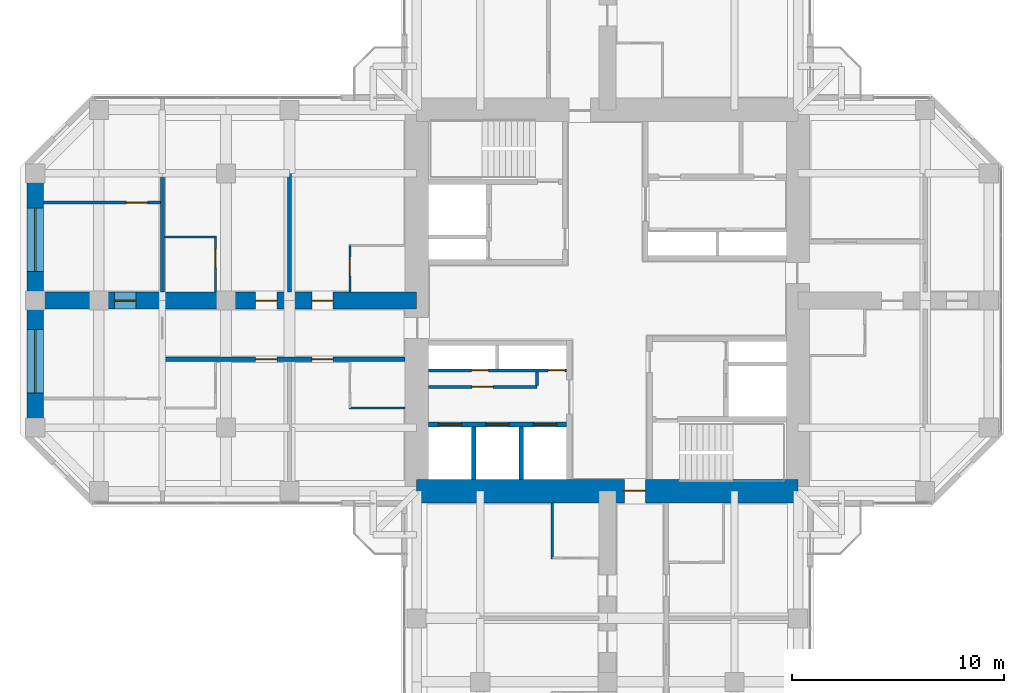
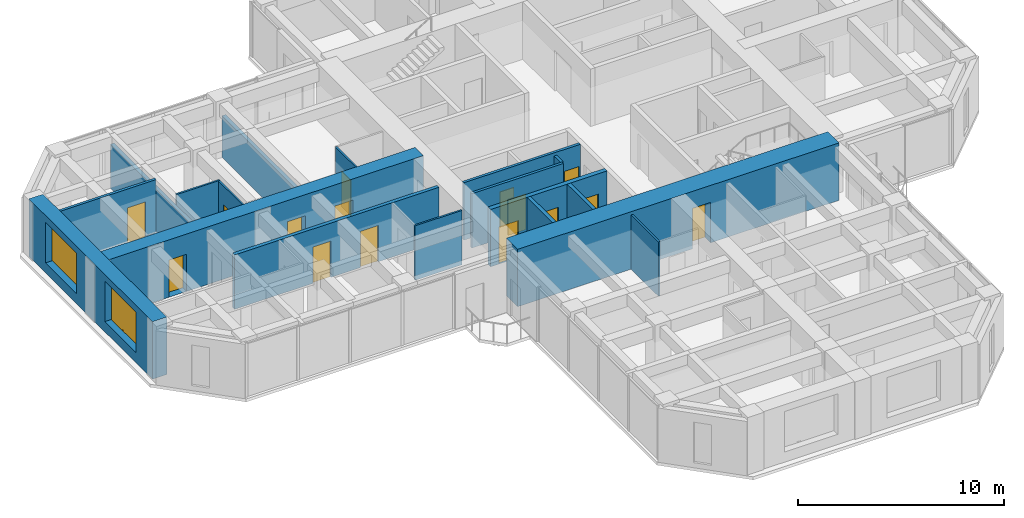
# One storey, part 9 of 13: 18 walls, 15 doors, 2 windows, 17 openings.
"""IFC4 building model written with IfcOpenShell, lengths in metres."""

from ifc_helpers import new_model, si_unit, direction, frame, frame_2d, origin, place, context, subcontext, project, spatial, rectangle, hollow_rectangle, extrude, material, layer, layer_set, constituent, constituent_set, type_object, element, fill, save


model = new_model("IFC4")

# Units and contexts
model_context = context("Model", 3, precision=1e-05, world=origin(), true_north=direction((0.0, 1.0)))
body_context = subcontext(model_context, "Body", "Model", "MODEL_VIEW")
ifc_project = project(units=[si_unit("LENGTHUNIT", "METRE"), si_unit("AREAUNIT", "SQUARE_METRE"), si_unit("VOLUMEUNIT", "CUBIC_METRE"), si_unit("PLANEANGLEUNIT", "RADIAN"), si_unit("MASSUNIT", "GRAM", prefix="KILO")], contexts=[model_context])

# Site, building, storey
site_placement = place(None, origin())
site = spatial("IfcSite", under=ifc_project, at=site_placement, CompositionType="ELEMENT")
building_placement = place(site_placement, origin())
building = spatial("IfcBuilding", under=site, at=building_placement, Name="Torre Cruceta", CompositionType="ELEMENT")
storey_placement = place(building_placement, frame((0.0, 0.0, 189.89990234375)))
storey = spatial("IfcBuildingStorey", under=building, at=storey_placement, Name="L47", CompositionType="ELEMENT", Elevation=189.89990234375)

# Walls
ifc_material_1 = material(Name="Water-resistant plasterboard on steel studs", Category="steel")
ifc_layer_1 = layer(ifc_material_1, 0.10009765625)
ifc_layer_set_1 = layer_set([ifc_layer_1], Name="Water-resistant plasterboard on steel studs")
wall_type_1 = type_object("IfcWallType", Name="BATHROOM WALL 100", PredefinedType="PARTITIONING", material=ifc_layer_set_1)
for number, where, z_axis, x_axis, name in (
    (1, (-2.60009765625, -9.550048828125, 0.0), (0.0, 0.0, 1.0), (0.0, -1.0, 0.0), "PT4 L47-S-U1RBB"),
    (2, (-9.550048828125, -5.074951171875, 0.0), (0.0, 0.0, 1.0), (-1.0, 0.0, 0.0), "PT4 L47-W-U1LBB"),
):
    element("IfcWall", number, at=place(storey_placement, frame(where, z_axis=z_axis, x_axis=x_axis)), inside=storey, type_object=wall_type_1, Name=name, PredefinedType="PARTITIONING", context=body_context, shape_type="SweptSolid", body=[
        extrude(rectangle(XDim=2.64990234375, YDim=0.10009765625, at=frame_2d((1.324951171875, 0.0))), origin(), (0.0, 0.0, 1.0), 3.22021484375),
    ])

# Wall, opening, door
wall_1_placement = place(storey_placement, frame((-12.14990234375, 2.60009765625, 0.0), z_axis=(0.0, 0.0, 1.0), x_axis=(0.0, -1.0, 0.0)))
wall_1 = element("IfcWall", 3, at=wall_1_placement, inside=storey, type_object=wall_type_1, Name="PT4 L47-W-U1RBS", PredefinedType="PARTITIONING", context=body_context, shape_type="SweptSolid", body=[
    extrude(rectangle(XDim=2.2001953125, YDim=0.10009765625, at=frame_2d((1.10009765625, 0.0))), origin(), (0.0, 0.0, 1.0), 3.22021484375),
])
opening_1_placement = place(wall_1_placement, frame((0.550048828125, 0.0, 0.0)))
opening_1 = element("IfcOpeningElement", 4, at=opening_1_placement, cuts=wall_1, Name="Opening D7", PredefinedType="OPENING", context=body_context, shape_type="SweptSolid", body=[
    extrude(rectangle(XDim=0.89990234375, YDim=2.10009765625, at=frame_2d((0.449951171875, 1.050048828125))), frame((0.0, 0.06005859375, 0.0), z_axis=(0.0, -1.0, 0.0), x_axis=(1.0, 0.0, 0.0)), (0.0, 0.0, 1.0), 0.1201171875),
])
ifc_material_2 = material(Name="Timber door", Category="wood")
door_type_1 = type_object("IfcDoorType", Name="BATHROOM DOOR 900X2100", OperationType="SINGLE_SWING_LEFT", PredefinedType="DOOR", material=ifc_material_2)
door_1_placement = place(opening_1_placement, origin())
door_1 = element("IfcDoor", 5, at=door_1_placement, inside=storey, type_object=door_type_1, Name="D7 L47-W-U1RBS-D1", OperationType="SINGLE_SWING_LEFT", OverallHeight=2.10009765625, OverallWidth=0.89990234375, PredefinedType="DOOR", context=body_context, shape_type="SweptSolid", body=[
    extrude(rectangle(XDim=0.89990234375, YDim=2.10009765625, at=frame_2d((0.449951171875, 1.050048828125))), frame((0.0, 0.02490234375, 0.0), z_axis=(0.0, -1.0, 0.0), x_axis=(1.0, 0.0, 0.0)), (0.0, 0.0, 1.0), 0.050048828125),
])
fill(opening_1, door_1)

# Wall
wall_2_placement = place(storey_placement, frame((-18.449951171875, 3.0, 0.0), z_axis=(0.0, 0.0, 1.0), x_axis=(-1.0, 0.0, 0.0)))
element("IfcWall", 6, at=wall_2_placement, inside=storey, type_object=wall_type_1, Name="PT4 L47-W-U2RBB", PredefinedType="PARTITIONING", context=body_context, shape_type="SweptSolid", body=[
    extrude(rectangle(XDim=2.449951171875, YDim=0.10009765625, at=frame_2d((1.22509765625, 0.0))), origin(), (0.0, 0.0, 1.0), 3.22021484375),
])

# Wall, opening, door
wall_3_placement = place(storey_placement, frame((-18.5, 3.0, 0.0), z_axis=(0.0, 0.0, 1.0), x_axis=(0.0, -1.0, 0.0)))
wall_3 = element("IfcWall", 7, at=wall_3_placement, inside=storey, type_object=wall_type_1, Name="PT4 L47-W-U2RBS", PredefinedType="PARTITIONING", context=body_context, shape_type="SweptSolid", body=[
    extrude(rectangle(XDim=2.60009765625, YDim=0.10009765625, at=frame_2d((1.300048828125, 0.0))), origin(), (0.0, 0.0, 1.0), 3.22021484375),
])
opening_2_placement = place(wall_3_placement, frame((0.550048828125, 0.0, 0.0)))
opening_2 = element("IfcOpeningElement", 8, at=opening_2_placement, cuts=wall_3, Name="Opening D7", PredefinedType="OPENING", context=body_context, shape_type="SweptSolid", body=[
    extrude(rectangle(XDim=0.89990234375, YDim=2.10009765625, at=frame_2d((0.449951171875, 1.050048828125))), frame((0.0, 0.06005859375, 0.0), z_axis=(0.0, -1.0, 0.0), x_axis=(1.0, 0.0, 0.0)), (0.0, 0.0, 1.0), 0.1201171875),
])
door_2_placement = place(opening_2_placement, frame((0.89990234375, 0.0, 0.0), z_axis=(0.0, 0.0, 1.0), x_axis=(-1.0, 0.0, 0.0)))
door_2 = element("IfcDoor", 9, at=door_2_placement, inside=storey, type_object=door_type_1, Name="D7 L47-W-U2RBS-D1", OperationType="SINGLE_SWING_RIGHT", OverallHeight=2.10009765625, OverallWidth=0.89990234375, PredefinedType="DOOR", context=body_context, shape_type="SweptSolid", body=[
    extrude(rectangle(XDim=0.89990234375, YDim=2.10009765625, at=frame_2d((0.449951171875, 1.050048828125))), frame((0.0, 0.025146484375, 0.0), z_axis=(0.0, -1.0, 0.0), x_axis=(1.0, 0.0, 0.0)), (0.0, 0.0, 1.0), 0.050048828125),
])
fill(opening_2, door_2)

# Wall, openings, doors
ifc_material_3 = material(Name="Concrete G60 (fck 60 MPa)", Category="concrete")
ifc_layer_2 = layer(ifc_material_3, 0.25)
ifc_layer_set_2 = layer_set([ifc_layer_2], Name="Concrete G60 (fck 60 MPa)")
wall_type_2 = type_object("IfcWallType", Name="CORE INNER WALL 250 G60", PredefinedType="SHEAR", material=ifc_layer_set_2)
wall_4_placement = place(storey_placement, frame((-1.925048828125, -5.85009765625, 0.0), z_axis=(0.0, 0.0, 1.0), x_axis=(-1.0, 0.0, 0.0)))
wall_4 = element("IfcWall", 10, at=wall_4_placement, inside=storey, type_object=wall_type_2, Name="CW4 L47 SW-LV", PredefinedType="SHEAR", context=body_context, shape_type="SweptSolid", body=[
    extrude(rectangle(XDim=6.52490234375, YDim=0.25, at=frame_2d((3.262451171875, 0.0))), origin(), (0.0, 0.0, 1.0), 3.400146484375),
])
opening_3_placement = place(wall_4_placement, frame((0.470947265625, 0.0, 0.0)))
opening_3 = element("IfcOpeningElement", 11, at=opening_3_placement, cuts=wall_4, Name="Opening LD1", PredefinedType="OPENING", context=body_context, shape_type="SweptSolid", body=[
    extrude(rectangle(XDim=1.10009765625, YDim=2.199951171875, at=frame_2d((0.550048828125, 1.10009765625))), frame((0.0, 0.135009765625, 0.0), z_axis=(0.0, -1.0, 0.0), x_axis=(1.0, 0.0, 0.0)), (0.0, 0.0, 1.0), 0.27001953125),
])
opening_4_placement = place(wall_4_placement, frame((2.71240234375, 0.0, 0.0)))
opening_4 = element("IfcOpeningElement", 12, at=opening_4_placement, cuts=wall_4, Name="Opening LD1", PredefinedType="OPENING", context=body_context, shape_type="SweptSolid", body=[
    extrude(rectangle(XDim=1.10009765625, YDim=2.199951171875, at=frame_2d((0.550048828125, 1.10009765625))), frame((0.0, 0.135009765625, 0.0), z_axis=(0.0, -1.0, 0.0), x_axis=(1.0, 0.0, 0.0)), (0.0, 0.0, 1.0), 0.27001953125),
])
opening_5_placement = place(wall_4_placement, frame((4.9541015625, 0.0, 0.0)))
opening_5 = element("IfcOpeningElement", 13, at=opening_5_placement, cuts=wall_4, Name="Opening LD1", PredefinedType="OPENING", context=body_context, shape_type="SweptSolid", body=[
    extrude(rectangle(XDim=1.10009765625, YDim=2.199951171875, at=frame_2d((0.550048828125, 1.10009765625))), frame((0.0, 0.135009765625, 0.0), z_axis=(0.0, -1.0, 0.0), x_axis=(1.0, 0.0, 0.0)), (0.0, 0.0, 1.0), 0.27001953125),
])
ifc_material_4 = material(Name="Stainless steel 1.4401", Category="steel")
door_type_2 = type_object("IfcDoorType", Name="LIFT LANDING DOOR 1100X2200", OperationType="DOUBLE_DOOR_SLIDING", PredefinedType="DOOR", material=ifc_material_4)
door_3_placement = place(opening_3_placement, origin())
door_3 = element("IfcDoor", 14, at=door_3_placement, inside=storey, type_object=door_type_2, Name="Lift landing door R1", OperationType="DOUBLE_DOOR_SLIDING", OverallHeight=2.199951171875, OverallWidth=1.10009765625, PredefinedType="DOOR", context=body_context, shape_type="SweptSolid", body=[
    extrude(rectangle(XDim=1.10009765625, YDim=2.199951171875, at=frame_2d((0.550048828125, 1.10009765625))), frame((0.0, 0.02490234375, 0.0), z_axis=(0.0, -1.0, 0.0), x_axis=(1.0, 0.0, 0.0)), (0.0, 0.0, 1.0), 0.050048828125),
])
fill(opening_3, door_3)
door_4_placement = place(opening_4_placement, origin())
door_4 = element("IfcDoor", 15, at=door_4_placement, inside=storey, type_object=door_type_2, Name="Lift landing door R2", OperationType="DOUBLE_DOOR_SLIDING", OverallHeight=2.199951171875, OverallWidth=1.10009765625, PredefinedType="DOOR", context=body_context, shape_type="SweptSolid", body=[
    extrude(rectangle(XDim=1.10009765625, YDim=2.199951171875, at=frame_2d((0.550048828125, 1.10009765625))), frame((0.0, 0.02490234375, 0.0), z_axis=(0.0, -1.0, 0.0), x_axis=(1.0, 0.0, 0.0)), (0.0, 0.0, 1.0), 0.050048828125),
])
fill(opening_4, door_4)
door_5_placement = place(opening_5_placement, origin())
door_5 = element("IfcDoor", 16, at=door_5_placement, inside=storey, type_object=door_type_2, Name="Lift landing door R3", OperationType="DOUBLE_DOOR_SLIDING", OverallHeight=2.199951171875, OverallWidth=1.10009765625, PredefinedType="DOOR", context=body_context, shape_type="SweptSolid", body=[
    extrude(rectangle(XDim=1.10009765625, YDim=2.199951171875, at=frame_2d((0.550048828125, 1.10009765625))), frame((0.0, 0.02490234375, 0.0), z_axis=(0.0, -1.0, 0.0), x_axis=(1.0, 0.0, 0.0)), (0.0, 0.0, 1.0), 0.050048828125),
])
fill(opening_5, door_5)

# Wall, opening, door
ifc_material_5 = material(Name="Concrete G60 (fck 60 MPa)", Category="concrete")
ifc_layer_3 = layer(ifc_material_5, 1.10009765625)
ifc_layer_set_3 = layer_set([ifc_layer_3], Name="Concrete G60 (fck 60 MPa)")
wall_type_3 = type_object("IfcWallType", Name="CORE WALL 1100 G60", PredefinedType="SHEAR", material=ifc_layer_set_3)
wall_5_placement = place(storey_placement, frame((-9.0, -9.0, 0.0), z_axis=(0.0, 0.0, 1.0), x_axis=(1.0, 0.0, 0.0)))
wall_5 = element("IfcWall", 17, at=wall_5_placement, inside=storey, type_object=wall_type_3, Name="CW2 L47 CW-S", PredefinedType="SHEAR", context=body_context, shape_type="SweptSolid", body=[
    extrude(rectangle(XDim=18.0, YDim=1.10009765625, at=frame_2d((9.0, 0.0))), origin(), (0.0, 0.0, 1.0), 3.400146484375),
])
opening_6_placement = place(wall_5_placement, frame((9.800048828125, 0.0, 0.0)))
opening_6 = element("IfcOpeningElement", 18, at=opening_6_placement, cuts=wall_5, Name="Opening D4", PredefinedType="OPENING", context=body_context, shape_type="SweptSolid", body=[
    extrude(rectangle(XDim=1.0, YDim=2.39990234375, at=frame_2d((0.5, 1.199951171875))), frame((0.0, 0.56005859375, 0.0), z_axis=(0.0, -1.0, 0.0), x_axis=(1.0, 0.0, 0.0)), (0.0, 0.0, 1.0), 1.1201171875),
])
ifc_material_6 = material(Name="Steel DX51D", Category="steel")
ifc_constituent_1 = constituent(ifc_material_6, Name="Leaf and frame")
ifc_material_7 = material(Name="Polyester powder coating", Category="paint")
ifc_constituent_2 = constituent(ifc_material_7, Name="Finish")
ifc_constituent_set_1 = constituent_set(constituents=[ifc_constituent_1, ifc_constituent_2], Name="Steel fire door")
door_type_3 = type_object("IfcDoorType", Name="CORE ARM DOOR 1000X2400", OperationType="SINGLE_SWING_RIGHT", PredefinedType="DOOR", material=ifc_constituent_set_1)
door_6_placement = place(opening_6_placement, origin())
door_6 = element("IfcDoor", 19, at=door_6_placement, inside=storey, type_object=door_type_3, Name="D4 L47 CW-S", OperationType="SINGLE_SWING_RIGHT", OverallHeight=2.39990234375, OverallWidth=1.0, PredefinedType="DOOR", context=body_context, shape_type="SweptSolid", body=[
    extrude(rectangle(XDim=1.0, YDim=2.39990234375, at=frame_2d((0.5, 1.199951171875))), frame((0.0, 0.05517578125, 0.0), z_axis=(0.0, -1.0, 0.0), x_axis=(1.0, 0.0, 0.0)), (0.0, 0.0, 1.0), 0.050048828125),
])
fill(opening_6, door_6)

# Wall, openings, doors
ifc_material_8 = material(Name="Concrete G25 (fck 25 MPa)", Category="concrete")
ifc_layer_4 = layer(ifc_material_8, 0.199951171875)
ifc_layer_set_4 = layer_set([ifc_layer_4], Name="Concrete G25 (fck 25 MPa)")
wall_type_4 = type_object("IfcWallType", Name="CORRIDOR WALL 200", PredefinedType="SOLIDWALL", material=ifc_layer_set_4)
wall_6_placement = place(storey_placement, frame((-9.550048828125, -2.77490234375, 0.0), z_axis=(0.0, 0.0, 1.0), x_axis=(-1.0, 0.0, 0.0)))
wall_6 = element("IfcWall", 20, at=wall_6_placement, inside=storey, type_object=wall_type_4, Name="PT3 L47-W-CL", PredefinedType="SOLIDWALL", context=body_context, shape_type="SweptSolid", body=[
    extrude(rectangle(XDim=11.449951171875, YDim=0.199951171875, at=frame_2d((5.72509765625, 0.0))), origin(), (0.0, 0.0, 1.0), 3.22021484375),
])
opening_7_placement = place(wall_6_placement, frame((3.39990234375, 0.0, 0.0)))
opening_7 = element("IfcOpeningElement", 21, at=opening_7_placement, cuts=wall_6, Name="Opening D6", PredefinedType="OPENING", context=body_context, shape_type="SweptSolid", body=[
    extrude(rectangle(XDim=1.0, YDim=2.14990234375, at=frame_2d((0.5, 1.074951171875))), frame((0.0, 0.10986328125, 0.0), z_axis=(0.0, -1.0, 0.0), x_axis=(1.0, 0.0, 0.0)), (0.0, 0.0, 1.0), 0.219970703125),
])
opening_8_placement = place(wall_6_placement, frame((6.050048828125, 0.0, 0.0)))
opening_8 = element("IfcOpeningElement", 22, at=opening_8_placement, cuts=wall_6, Name="Opening D6", PredefinedType="OPENING", context=body_context, shape_type="SweptSolid", body=[
    extrude(rectangle(XDim=1.0, YDim=2.14990234375, at=frame_2d((0.5, 1.074951171875))), frame((0.0, 0.10986328125, 0.0), z_axis=(0.0, -1.0, 0.0), x_axis=(1.0, 0.0, 0.0)), (0.0, 0.0, 1.0), 0.219970703125),
])
ifc_material_9 = material(Name="Timber fire door", Category="wood")
door_type_4 = type_object("IfcDoorType", Name="UNIT ENTRANCE DOOR 1000X2150", OperationType="SINGLE_SWING_LEFT", PredefinedType="DOOR", material=ifc_material_9)
door_7_placement = place(opening_7_placement, origin())
door_7 = element("IfcDoor", 23, at=door_7_placement, inside=storey, type_object=door_type_4, Name="D6 L47-W-CL-D1", OperationType="SINGLE_SWING_LEFT", OverallHeight=2.14990234375, OverallWidth=1.0, PredefinedType="DOOR", context=body_context, shape_type="SweptSolid", body=[
    extrude(rectangle(XDim=1.0, YDim=2.14990234375, at=frame_2d((0.5, 1.074951171875))), frame((0.0, 0.02490234375, 0.0), z_axis=(0.0, -1.0, 0.0), x_axis=(1.0, 0.0, 0.0)), (0.0, 0.0, 1.0), 0.050048828125),
])
fill(opening_7, door_7)
door_8_placement = place(opening_8_placement, origin())
door_8 = element("IfcDoor", 24, at=door_8_placement, inside=storey, type_object=door_type_4, Name="D6 L47-W-CL-D2", OperationType="SINGLE_SWING_LEFT", OverallHeight=2.14990234375, OverallWidth=1.0, PredefinedType="DOOR", context=body_context, shape_type="SweptSolid", body=[
    extrude(rectangle(XDim=1.0, YDim=2.14990234375, at=frame_2d((0.5, 1.074951171875))), frame((0.0, 0.02490234375, 0.0), z_axis=(0.0, -1.0, 0.0), x_axis=(1.0, 0.0, 0.0)), (0.0, 0.0, 1.0), 0.050048828125),
])
fill(opening_8, door_8)

# Walls
ifc_material_10 = material(Name="Concrete G35 (fck 35 MPa)", Category="concrete")
ifc_layer_5 = layer(ifc_material_10, 0.199951171875)
ifc_layer_set_5 = layer_set([ifc_layer_5], Name="Concrete G35 (fck 35 MPa)")
wall_type_5 = type_object("IfcWallType", Name="LIFT SHAFT WALL 200", PredefinedType="PARTITIONING", material=ifc_layer_set_5)
for number, where, z_axis, x_axis, name in (
    (25, (-4.066650390625, -5.97509765625, 0.0), (0.0, 0.0, 1.0), (0.0, -1.0, 0.0), "SW1 L47 SW-LS1"),
    (26, (-6.308349609375, -5.97509765625, 0.0), (0.0, 0.0, 1.0), (0.0, -1.0, 0.0), "SW1 L47 SW-LS2"),
):
    element("IfcWall", number, at=place(storey_placement, frame(where, z_axis=z_axis, x_axis=x_axis)), inside=storey, type_object=wall_type_5, Name=name, PredefinedType="PARTITIONING", context=body_context, shape_type="SweptSolid", body=[
        extrude(rectangle(XDim=2.474853515625, YDim=0.199951171875, at=frame_2d((1.2373046875, 0.0))), origin(), (0.0, 0.0, 1.0), 3.400146484375),
    ])

# Wall, openings, windows
ifc_material_11 = material(Name="Concrete G60 (fck 60 MPa)", Category="concrete")
ifc_layer_6 = layer(ifc_material_11, 0.800048828125)
ifc_layer_set_6 = layer_set([ifc_layer_6], Name="Concrete G60 (fck 60 MPa)")
wall_type_6 = type_object("IfcWallType", Name="NOSE WALL 800 G60", PredefinedType="SHEAR", material=ifc_layer_set_6)
wall_7_placement = place(storey_placement, frame((-27.0, 6.0, 0.0), z_axis=(0.0, 0.0, 1.0), x_axis=(0.0, -1.0, 0.0)))
wall_7 = element("IfcWall", 27, at=wall_7_placement, inside=storey, type_object=wall_type_6, Name="NW2 nose wall L47 W", PredefinedType="SHEAR", context=body_context, shape_type="SweptSolid", body=[
    extrude(rectangle(XDim=12.0, YDim=0.800048828125, at=frame_2d((6.0, 0.0))), origin(), (0.0, 0.0, 1.0), 3.400146484375),
])
opening_9_placement = place(wall_7_placement, frame((1.625, 0.0, 0.60009765625)))
opening_9 = element("IfcOpeningElement", 28, at=opening_9_placement, cuts=wall_7, Name="Opening WN6", PredefinedType="OPENING", context=body_context, shape_type="SweptSolid", body=[
    extrude(rectangle(XDim=3.0, YDim=2.39990234375, at=frame_2d((1.5, 1.199951171875))), frame((0.0, 0.409912109375, 0.0), z_axis=(0.0, -1.0, 0.0), x_axis=(1.0, 0.0, 0.0)), (0.0, 0.0, 1.0), 0.820068359375),
])
opening_10_placement = place(wall_7_placement, frame((7.375, 0.0, 0.60009765625)))
opening_10 = element("IfcOpeningElement", 29, at=opening_10_placement, cuts=wall_7, Name="Opening WN6", PredefinedType="OPENING", context=body_context, shape_type="SweptSolid", body=[
    extrude(rectangle(XDim=3.0, YDim=2.39990234375, at=frame_2d((1.5, 1.199951171875))), frame((0.0, 0.409912109375, 0.0), z_axis=(0.0, -1.0, 0.0), x_axis=(1.0, 0.0, 0.0)), (0.0, 0.0, 1.0), 0.820068359375),
])
ifc_material_12 = material(Name="Aluminium window frame", Category="aluminium")
ifc_constituent_3 = constituent(ifc_material_12, Name="Frame")
ifc_material_13 = material(Name="Laminated insulating glass unit, low-iron clear", Category="glass")
ifc_constituent_4 = constituent(ifc_material_13, Name="Glazing")
ifc_constituent_set_2 = constituent_set(constituents=[ifc_constituent_3, ifc_constituent_4], Name="Aluminium window")
window_type = type_object("IfcWindowType", Name="NOSE WALL WINDOW 3000X2400", PartitioningType="SINGLE_PANEL", PredefinedType="WINDOW", material=ifc_constituent_set_2)
window_1_placement = place(opening_9_placement, origin())
window_1 = element("IfcWindow", 30, at=window_1_placement, inside=storey, type_object=window_type, Name="WN6 L47 W 1", OverallHeight=2.39990234375, OverallWidth=3.0, PartitioningType="SINGLE_PANEL", PredefinedType="WINDOW", context=body_context, shape_type="SweptSolid", body=[
    extrude(hollow_rectangle(XDim=3.0, YDim=2.39990234375, WallThickness=0.06005859375, at=frame_2d((1.5, 1.199951171875))), frame((0.0, 0.030029296875, 0.0), z_axis=(0.0, -1.0, 0.0), x_axis=(1.0, 0.0, 0.0)), (0.0, 0.0, 1.0), 0.06005859375),
    extrude(rectangle(XDim=2.87890625, YDim=2.27880859375, at=frame_2d((1.5, 1.199951171875))), frame((0.0, 0.030029296875, 0.0), z_axis=(0.0, -1.0, 0.0), x_axis=(1.0, 0.0, 0.0)), (0.0, 0.0, 1.0), 0.06005859375),
])
fill(opening_9, window_1)
window_2_placement = place(opening_10_placement, origin())
window_2 = element("IfcWindow", 31, at=window_2_placement, inside=storey, type_object=window_type, Name="WN6 L47 W 2", OverallHeight=2.39990234375, OverallWidth=3.0, PartitioningType="SINGLE_PANEL", PredefinedType="WINDOW", context=body_context, shape_type="SweptSolid", body=[
    extrude(hollow_rectangle(XDim=3.0, YDim=2.39990234375, WallThickness=0.06005859375, at=frame_2d((1.5, 1.199951171875))), frame((0.0, 0.030029296875, 0.0), z_axis=(0.0, -1.0, 0.0), x_axis=(1.0, 0.0, 0.0)), (0.0, 0.0, 1.0), 0.06005859375),
    extrude(rectangle(XDim=2.87890625, YDim=2.27880859375, at=frame_2d((1.5, 1.199951171875))), frame((0.0, 0.030029296875, 0.0), z_axis=(0.0, -1.0, 0.0), x_axis=(1.0, 0.0, 0.0)), (0.0, 0.0, 1.0), 0.06005859375),
])
fill(opening_10, window_2)

# Wall, opening, door
ifc_material_14 = material(Name="Plasterboard on steel studs", Category="steel")
ifc_layer_7 = layer(ifc_material_14, 0.14990234375)
ifc_layer_set_7 = layer_set([ifc_layer_7], Name="Plasterboard on steel studs")
wall_type_7 = type_object("IfcWallType", Name="PARTITION 150", PredefinedType="PARTITIONING", material=ifc_layer_set_7)
wall_8_placement = place(storey_placement, frame((-3.324951171875, -4.074951171875, 0.0), z_axis=(0.0, 0.0, 1.0), x_axis=(-1.0, 0.0, 0.0)))
wall_8 = element("IfcWall", 32, at=wall_8_placement, inside=storey, type_object=wall_type_7, Name="PT1 L47-CORE-SW-CUPBOARD", PredefinedType="PARTITIONING", context=body_context, shape_type="SweptSolid", body=[
    extrude(rectangle(XDim=5.125, YDim=0.14990234375, at=frame_2d((2.5625, 0.0))), origin(), (0.0, 0.0, 1.0), 3.22021484375),
])
opening_11_placement = place(wall_8_placement, frame((2.0625, 0.0, 0.0)))
opening_11 = element("IfcOpeningElement", 33, at=opening_11_placement, cuts=wall_8, Name="Opening D19", PredefinedType="OPENING", context=body_context, shape_type="SweptSolid", body=[
    extrude(rectangle(XDim=1.0, YDim=2.10009765625, at=frame_2d((0.5, 1.050048828125))), frame((0.0, 0.0849609375, 0.0), z_axis=(0.0, -1.0, 0.0), x_axis=(1.0, 0.0, 0.0)), (0.0, 0.0, 1.0), 0.169921875),
])
ifc_material_15 = material(Name="Timber fire door", Category="wood")
door_type_5 = type_object("IfcDoorType", Name="CUPBOARD PAIR OF DOORS 1000X2100", OperationType="DOUBLE_DOOR_SINGLE_SWING", PredefinedType="DOOR", material=ifc_material_15)
door_9_placement = place(opening_11_placement, frame((1.0, 0.0, 0.0), z_axis=(0.0, 0.0, 1.0), x_axis=(-1.0, 0.0, 0.0)))
door_9 = element("IfcDoor", 34, at=door_9_placement, inside=storey, type_object=door_type_5, Name="D19 L47-CORE-SW-CUPBOARD-D1", OperationType="DOUBLE_DOOR_SINGLE_SWING", OverallHeight=2.10009765625, OverallWidth=1.0, PredefinedType="DOOR", context=body_context, shape_type="SweptSolid", body=[
    extrude(rectangle(XDim=1.0, YDim=2.10009765625, at=frame_2d((0.5, 1.050048828125))), frame((0.0, 0.025146484375, 0.0), z_axis=(0.0, -1.0, 0.0), x_axis=(1.0, 0.0, 0.0)), (0.0, 0.0, 1.0), 0.050048828125),
])
fill(opening_11, door_9)

# Wall
wall_9_placement = place(storey_placement, frame((-3.324951171875, -3.375, 0.0), z_axis=(0.0, 0.0, 1.0), x_axis=(0.0, -1.0, 0.0)))
element("IfcWall", 35, at=wall_9_placement, inside=storey, type_object=wall_type_7, Name="PT1 L47-CORE-SW-CUPBOARDE", PredefinedType="PARTITIONING", context=body_context, shape_type="SweptSolid", body=[
    extrude(rectangle(XDim=0.625, YDim=0.14990234375, at=frame_2d((0.3125, 0.0))), origin(), (0.0, 0.0, 1.0), 3.22021484375),
])

# Wall, opening, door
wall_10_placement = place(storey_placement, frame((-21.10009765625, 4.625, 0.0), z_axis=(0.0, 0.0, 1.0), x_axis=(-1.0, 0.0, 0.0)))
wall_10 = element("IfcWall", 36, at=wall_10_placement, inside=storey, type_object=wall_type_7, Name="PT1 L47-W-END2X", PredefinedType="PARTITIONING", context=body_context, shape_type="SweptSolid", body=[
    extrude(rectangle(XDim=5.5, YDim=0.14990234375, at=frame_2d((2.75, 0.0))), origin(), (0.0, 0.0, 1.0), 3.22021484375),
])
opening_12_placement = place(wall_10_placement, frame((0.60009765625, 0.0, 0.0)))
opening_12 = element("IfcOpeningElement", 37, at=opening_12_placement, cuts=wall_10, Name="Opening D3", PredefinedType="OPENING", context=body_context, shape_type="SweptSolid", body=[
    extrude(rectangle(XDim=1.0, YDim=2.10009765625, at=frame_2d((0.5, 1.050048828125))), frame((0.0, 0.0849609375, 0.0), z_axis=(0.0, -1.0, 0.0), x_axis=(1.0, 0.0, 0.0)), (0.0, 0.0, 1.0), 0.169921875),
])
ifc_material_16 = material(Name="Steel DX51D", Category="steel")
ifc_constituent_5 = constituent(ifc_material_16, Name="Leaf and frame")
ifc_material_17 = material(Name="Polyester powder coating", Category="paint")
ifc_constituent_6 = constituent(ifc_material_17, Name="Finish")
ifc_constituent_set_3 = constituent_set(constituents=[ifc_constituent_5, ifc_constituent_6], Name="Steel fire door")
door_type_6 = type_object("IfcDoorType", Name="FIRE DOOR 1000X2100", OperationType="SINGLE_SWING_LEFT", PredefinedType="DOOR", material=ifc_constituent_set_3)
door_10_placement = place(opening_12_placement, frame((1.0, 0.0, 0.0), z_axis=(0.0, 0.0, 1.0), x_axis=(-1.0, 0.0, 0.0)))
door_10 = element("IfcDoor", 38, at=door_10_placement, inside=storey, type_object=door_type_6, Name="D3 L47-W-END2X-D1", OperationType="SINGLE_SWING_RIGHT", OverallHeight=2.10009765625, OverallWidth=1.0, PredefinedType="DOOR", context=body_context, shape_type="SweptSolid", body=[
    extrude(rectangle(XDim=1.0, YDim=2.10009765625, at=frame_2d((0.5, 1.050048828125))), frame((0.0, 0.025146484375, 0.0), z_axis=(0.0, -1.0, 0.0), x_axis=(1.0, 0.0, 0.0)), (0.0, 0.0, 1.0), 0.050048828125),
])
fill(opening_12, door_10)

# Wall, openings, doors
ifc_material_18 = material(Name="Concrete block masonry", Category="masonry")
ifc_layer_8 = layer(ifc_material_18, 0.14990234375)
ifc_layer_set_8 = layer_set([ifc_layer_8], Name="Concrete block masonry")
wall_type_8 = type_object("IfcWallType", Name="RISER WALL 150", PredefinedType="PARTITIONING", material=ifc_layer_set_8)
wall_11_placement = place(storey_placement, frame((-1.925048828125, -3.300048828125, 0.0), z_axis=(0.0, 0.0, 1.0), x_axis=(-1.0, 0.0, 0.0)))
wall_11 = element("IfcWall", 39, at=wall_11_placement, inside=storey, type_object=wall_type_8, Name="SW7 L47 SW-RV", PredefinedType="PARTITIONING", context=body_context, shape_type="SweptSolid", body=[
    extrude(rectangle(XDim=6.52490234375, YDim=0.14990234375, at=frame_2d((3.262451171875, 0.0))), origin(), (0.0, 0.0, 1.0), 3.400146484375),
])
opening_13_placement = place(wall_11_placement, frame((0.074951171875, 0.0, 0.0)))
opening_13 = element("IfcOpeningElement", 40, at=opening_13_placement, cuts=wall_11, Name="Opening D5", PredefinedType="OPENING", context=body_context, shape_type="SweptSolid", body=[
    extrude(rectangle(XDim=0.800048828125, YDim=2.10009765625, at=frame_2d((0.39990234375, 1.050048828125))), frame((0.0, 0.0849609375, 0.0), z_axis=(0.0, -1.0, 0.0), x_axis=(1.0, 0.0, 0.0)), (0.0, 0.0, 1.0), 0.169921875),
])
opening_14_placement = place(wall_11_placement, frame((3.675048828125, 0.0, 0.0)))
opening_14 = element("IfcOpeningElement", 41, at=opening_14_placement, cuts=wall_11, Name="Opening D5", PredefinedType="OPENING", context=body_context, shape_type="SweptSolid", body=[
    extrude(rectangle(XDim=0.800048828125, YDim=2.10009765625, at=frame_2d((0.39990234375, 1.050048828125))), frame((0.0, 0.0849609375, 0.0), z_axis=(0.0, -1.0, 0.0), x_axis=(1.0, 0.0, 0.0)), (0.0, 0.0, 1.0), 0.169921875),
])
ifc_material_19 = material(Name="Steel DX51D", Category="steel")
ifc_constituent_7 = constituent(ifc_material_19, Name="Leaf and frame")
ifc_material_20 = material(Name="Polyester powder coating", Category="paint")
ifc_constituent_8 = constituent(ifc_material_20, Name="Finish")
ifc_constituent_set_4 = constituent_set(constituents=[ifc_constituent_7, ifc_constituent_8], Name="Steel fire door")
door_type_7 = type_object("IfcDoorType", Name="RISER ACCESS DOOR 800X2100", OperationType="SINGLE_SWING_LEFT", PredefinedType="DOOR", material=ifc_constituent_set_4)
door_11_placement = place(opening_13_placement, frame((0.800048828125, 0.0, 0.0), z_axis=(0.0, 0.0, 1.0), x_axis=(-1.0, 0.0, 0.0)))
door_11 = element("IfcDoor", 42, at=door_11_placement, inside=storey, type_object=door_type_7, Name="D5 L47 SW-RISER1", OperationType="SINGLE_SWING_RIGHT", OverallHeight=2.10009765625, OverallWidth=0.800048828125, PredefinedType="DOOR", context=body_context, shape_type="SweptSolid", body=[
    extrude(rectangle(XDim=0.800048828125, YDim=2.10009765625, at=frame_2d((0.400146484375, 1.050048828125))), frame((0.0, 0.025146484375, 0.0), z_axis=(0.0, -1.0, 0.0), x_axis=(1.0, 0.0, 0.0)), (0.0, 0.0, 1.0), 0.050048828125),
])
fill(opening_13, door_11)
door_12_placement = place(opening_14_placement, frame((0.800048828125, 0.0, 0.0), z_axis=(0.0, 0.0, 1.0), x_axis=(-1.0, 0.0, 0.0)))
door_12 = element("IfcDoor", 43, at=door_12_placement, inside=storey, type_object=door_type_7, Name="D5 L47 SW-RISER2", OperationType="SINGLE_SWING_RIGHT", OverallHeight=2.10009765625, OverallWidth=0.800048828125, PredefinedType="DOOR", context=body_context, shape_type="SweptSolid", body=[
    extrude(rectangle(XDim=0.800048828125, YDim=2.10009765625, at=frame_2d((0.400146484375, 1.050048828125))), frame((0.0, 0.025146484375, 0.0), z_axis=(0.0, -1.0, 0.0), x_axis=(1.0, 0.0, 0.0)), (0.0, 0.0, 1.0), 0.050048828125),
])
fill(opening_14, door_12)

ifc_material_21 = material(Name="Concrete G60 (fck 60 MPa)", Category="concrete")
ifc_layer_9 = layer(ifc_material_21, 0.800048828125)
ifc_layer_set_9 = layer_set([ifc_layer_9], Name="Concrete G60 (fck 60 MPa)")
wall_type_9 = type_object("IfcWallType", Name="SPINE WALL 800 G60", PredefinedType="SHEAR", material=ifc_layer_set_9)
wall_12_placement = place(storey_placement, frame((-9.0, 0.0, 0.0), z_axis=(0.0, 0.0, 1.0), x_axis=(-1.0, 0.0, 0.0)))
wall_12 = element("IfcWall", 44, at=wall_12_placement, inside=storey, type_object=wall_type_9, Name="SW4 spine wall L47 W", PredefinedType="SHEAR", context=body_context, shape_type="SweptSolid", body=[
    extrude(rectangle(XDim=18.0, YDim=0.800048828125, at=frame_2d((9.0, 0.0))), origin(), (0.0, 0.0, 1.0), 3.400146484375),
])
opening_15_placement = place(wall_12_placement, frame((3.949951171875, 0.0, 0.0)))
opening_15 = element("IfcOpeningElement", 45, at=opening_15_placement, cuts=wall_12, Name="Opening D6", PredefinedType="OPENING", context=body_context, shape_type="SweptSolid", body=[
    extrude(rectangle(XDim=1.0, YDim=2.14990234375, at=frame_2d((0.5, 1.074951171875))), frame((0.0, 0.409912109375, 0.0), z_axis=(0.0, -1.0, 0.0), x_axis=(1.0, 0.0, 0.0)), (0.0, 0.0, 1.0), 0.820068359375),
])
opening_16_placement = place(wall_12_placement, frame((6.60009765625, 0.0, 0.0)))
opening_16 = element("IfcOpeningElement", 46, at=opening_16_placement, cuts=wall_12, Name="Opening D6", PredefinedType="OPENING", context=body_context, shape_type="SweptSolid", body=[
    extrude(rectangle(XDim=1.0, YDim=2.14990234375, at=frame_2d((0.5, 1.074951171875))), frame((0.0, 0.409912109375, 0.0), z_axis=(0.0, -1.0, 0.0), x_axis=(1.0, 0.0, 0.0)), (0.0, 0.0, 1.0), 0.820068359375),
])
opening_17_placement = place(wall_12_placement, frame((13.25, 0.0, 0.0)))
opening_17 = element("IfcOpeningElement", 47, at=opening_17_placement, cuts=wall_12, Name="Opening D14", PredefinedType="OPENING", context=body_context, shape_type="SweptSolid", body=[
    extrude(rectangle(XDim=1.0, YDim=2.199951171875, at=frame_2d((0.5, 1.10009765625))), frame((0.0, 0.409912109375, 0.0), z_axis=(0.0, -1.0, 0.0), x_axis=(1.0, 0.0, 0.0)), (0.0, 0.0, 1.0), 0.820068359375),
])
ifc_material_22 = material(Name="Steel DX51D", Category="steel")
ifc_constituent_9 = constituent(ifc_material_22, Name="Leaf and frame")
ifc_material_23 = material(Name="Polyester powder coating", Category="paint")
ifc_constituent_10 = constituent(ifc_material_23, Name="Finish")
ifc_material_24 = material(Name="Fire-resisting glass", Category="glass")
ifc_constituent_11 = constituent(ifc_material_24, Name="Vision panel")
ifc_constituent_set_5 = constituent_set(constituents=[ifc_constituent_9, ifc_constituent_10, ifc_constituent_11], Name="Steel fire door with vision panel")
door_type_8 = type_object("IfcDoorType", Name="FIRE DOOR VISION PANEL 1000X2200", OperationType="SINGLE_SWING_RIGHT", PredefinedType="DOOR", material=ifc_constituent_set_5)
door_13_placement = place(opening_17_placement, origin())
door_13 = element("IfcDoor", 48, at=door_13_placement, inside=storey, type_object=door_type_8, Name="D14 L47-W-SP3", OperationType="SINGLE_SWING_LEFT", OverallHeight=2.199951171875, OverallWidth=1.0, PredefinedType="DOOR", context=body_context, shape_type="SweptSolid", body=[
    extrude(rectangle(XDim=1.0, YDim=2.199951171875, at=frame_2d((0.5, 1.10009765625))), frame((0.0, 0.02490234375, 0.0), z_axis=(0.0, -1.0, 0.0), x_axis=(1.0, 0.0, 0.0)), (0.0, 0.0, 1.0), 0.050048828125),
])
fill(opening_17, door_13)
door_14_placement = place(opening_15_placement, frame((1.0, 0.0, 0.0), z_axis=(0.0, 0.0, 1.0), x_axis=(-1.0, 0.0, 0.0)))
door_14 = element("IfcDoor", 49, at=door_14_placement, inside=storey, type_object=door_type_4, Name="D6 L47-W-SP1", OperationType="SINGLE_SWING_RIGHT", OverallHeight=2.14990234375, OverallWidth=1.0, PredefinedType="DOOR", context=body_context, shape_type="SweptSolid", body=[
    extrude(rectangle(XDim=1.0, YDim=2.14990234375, at=frame_2d((0.5, 1.074951171875))), frame((0.0, 0.025146484375, 0.0), z_axis=(0.0, -1.0, 0.0), x_axis=(1.0, 0.0, 0.0)), (0.0, 0.0, 1.0), 0.050048828125),
])
fill(opening_15, door_14)
door_15_placement = place(opening_16_placement, frame((1.0, 0.0, 0.0), z_axis=(0.0, 0.0, 1.0), x_axis=(-1.0, 0.0, 0.0)))
door_15 = element("IfcDoor", 50, at=door_15_placement, inside=storey, type_object=door_type_4, Name="D6 L47-W-SP2", OperationType="SINGLE_SWING_RIGHT", OverallHeight=2.14990234375, OverallWidth=1.0, PredefinedType="DOOR", context=body_context, shape_type="SweptSolid", body=[
    extrude(rectangle(XDim=1.0, YDim=2.14990234375, at=frame_2d((0.5, 1.074951171875))), frame((0.0, 0.025146484375, 0.0), z_axis=(0.0, -1.0, 0.0), x_axis=(1.0, 0.0, 0.0)), (0.0, 0.0, 1.0), 0.050048828125),
])
fill(opening_16, door_15)

# Walls
ifc_material_25 = material(Name="Concrete G25 (fck 25 MPa)", Category="concrete")
ifc_layer_10 = layer(ifc_material_25, 0.199951171875)
ifc_layer_set_10 = layer_set([ifc_layer_10], Name="Concrete G25 (fck 25 MPa)")
wall_type_10 = type_object("IfcWallType", Name="UNIT SEPARATING WALL 200", PredefinedType="SOLIDWALL", material=ifc_layer_set_10)
wall_13_placement = place(storey_placement, frame((-15.0, 8.550048828125, 0.0), z_axis=(0.0, 0.0, 1.0), x_axis=(0.0, -1.0, 0.0)))
element("IfcWall", 51, at=wall_13_placement, inside=storey, type_object=wall_type_10, Name="PT2 L47-W-P1R", PredefinedType="SOLIDWALL", context=body_context, shape_type="SweptSolid", body=[
    extrude(rectangle(XDim=8.150146484375, YDim=0.199951171875, at=frame_2d((4.0751953125, 0.0))), origin(), (0.0, 0.0, 1.0), 2.47021484375),
])
wall_14_placement = place(storey_placement, frame((-21.0, 9.0, 0.0), z_axis=(0.0, 0.0, 1.0), x_axis=(0.0, -1.0, 0.0)))
element("IfcWall", 52, at=wall_14_placement, inside=storey, type_object=wall_type_10, Name="PT2 L47-W-ENDa 2", PredefinedType="SOLIDWALL", context=body_context, shape_type="SweptSolid", body=[
    extrude(rectangle(XDim=8.60009765625, YDim=0.199951171875, at=frame_2d((4.300048828125, 0.0))), origin(), (0.0, 0.0, 1.0), 2.6201171875),
])

save(model, "model.ifc")
